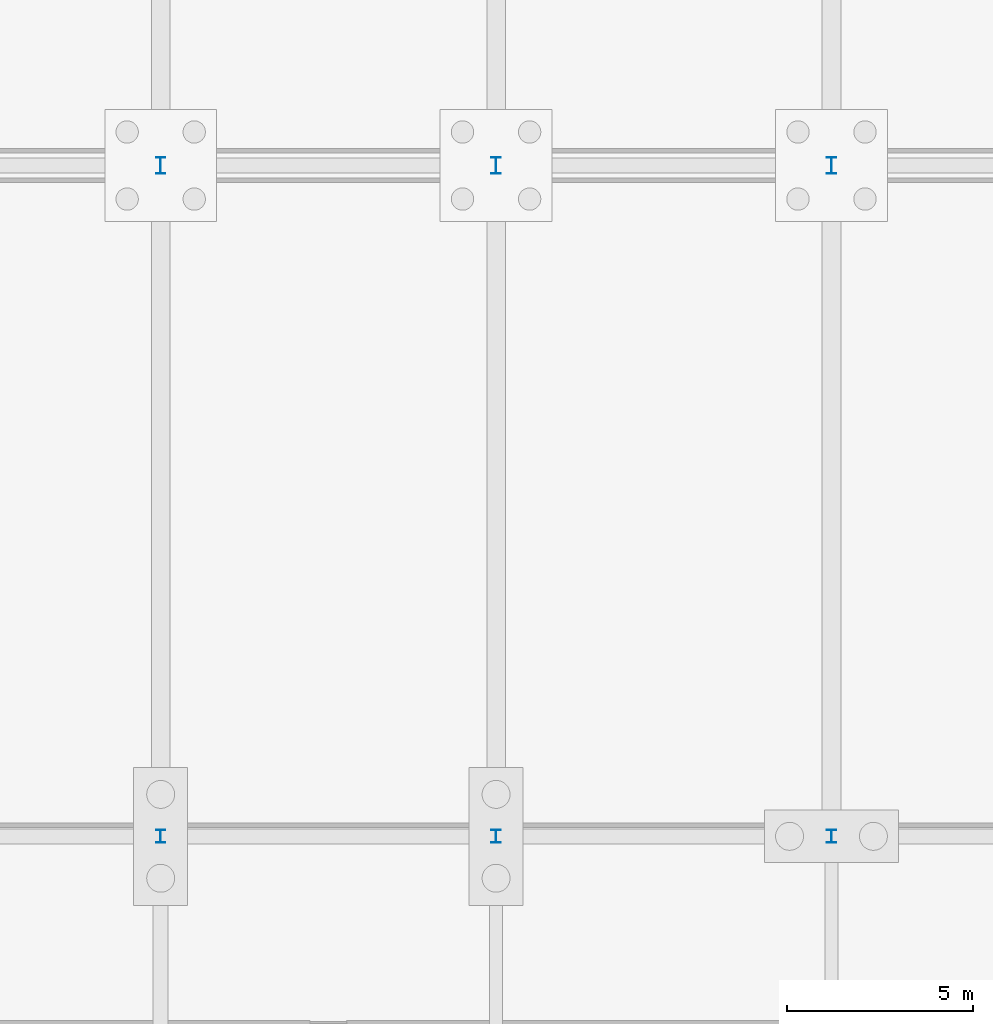
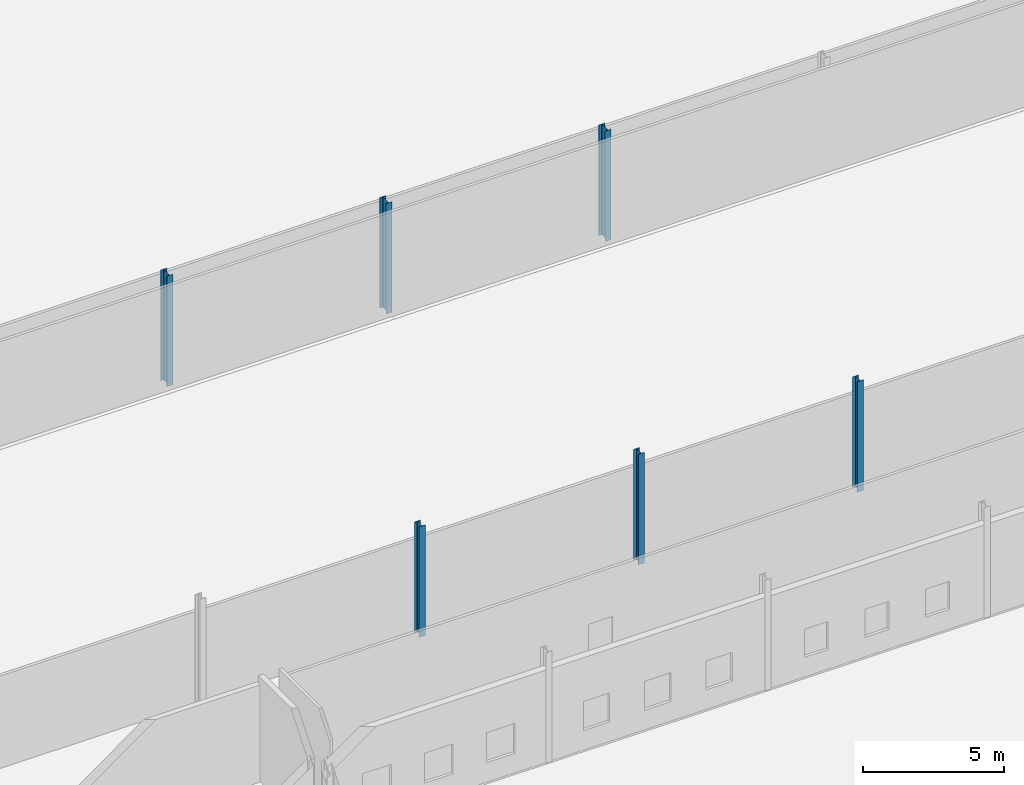
# One storey, part 29 of 112: 6 columns.
"""IFC4 building model written with IfcOpenShell, lengths in metres."""

from ifc_helpers import new_model, si_unit, direction, frame, origin, origin_2d, place, context, subcontext, project, spatial, i_section, extrude, material, material_profile, profile_set, type_object, element, save


model = new_model("IFC4")

# Units and contexts
model_context = context("Model", 3, precision=1e-05, world=origin(), true_north=direction((0.0, 1.0)))
body_context = subcontext(model_context, "Body", "Model", "MODEL_VIEW")
ifc_project = project(units=[si_unit("LENGTHUNIT", "METRE"), si_unit("AREAUNIT", "SQUARE_METRE"), si_unit("VOLUMEUNIT", "CUBIC_METRE"), si_unit("PLANEANGLEUNIT", "RADIAN"), si_unit("MASSUNIT", "GRAM", prefix="KILO")], contexts=[model_context])

# Site, building, storey
site_placement = place(None, origin())
site = spatial("IfcSite", under=ifc_project, at=site_placement, CompositionType="ELEMENT")
building_placement = place(site_placement, origin())
building = spatial("IfcBuilding", under=site, at=building_placement, Name="Tharagai Park Tramway Depot", CompositionType="ELEMENT")
storey_placement = place(building_placement, origin())
storey = spatial("IfcBuildingStorey", under=building, at=storey_placement, Name="L00", CompositionType="ELEMENT", Elevation=0.0)

# Columns
ifc_material = material(Name="Steel E350", Category="steel")
ifc_material_profile_1 = material_profile(ifc_material, i_section(OverallWidth=0.25, OverallDepth=0.449951171875, WebThickness=0.01123046875, FlangeThickness=0.013671875, FilletRadius=0.014892578125, at=origin_2d()), Name="ISHB 450")
ifc_profile_set_1 = profile_set([ifc_material_profile_1], Name="Steel E350")
column_type_1 = type_object("IfcColumnType", Name="CL-01", PredefinedType="COLUMN", material=ifc_profile_set_1)
for number, where, z_axis, x_axis, name in (
    (1, (99.0, 117.0, 0.0), (0.0, 0.0, 1.0), (1.0, 0.0, 0.0), "L00 Structural Column CL-01 (99,117)"),
    (2, (108.0, 117.0, 0.0), (0.0, 0.0, 1.0), (1.0, 0.0, 0.0), "L00 Structural Column CL-01 (108,117)"),
    (3, (117.0, 117.0, 0.0), (0.0, 0.0, 1.0), (1.0, 0.0, 0.0), "L00 Structural Column CL-01 (117,117)"),
):
    element("IfcColumn", number, at=place(storey_placement, frame(where, z_axis=z_axis, x_axis=x_axis)), inside=storey, type_object=column_type_1, Name=name, PredefinedType="COLUMN", context=body_context, shape_type="SweptSolid", body=[
        extrude(i_section(OverallWidth=0.25, OverallDepth=0.449951171875, WebThickness=0.01123046875, FlangeThickness=0.013671875, FilletRadius=0.014892578125, at=origin_2d()), origin(), (0.0, 0.0, 1.0), 4.800048828125),
    ])
ifc_material_profile_2 = material_profile(ifc_material, i_section(OverallWidth=0.25, OverallDepth=0.35009765625, WebThickness=0.010009765625, FlangeThickness=0.01171875, FilletRadius=0.011962890625, at=origin_2d()), Name="ISHB 350")
ifc_profile_set_2 = profile_set([ifc_material_profile_2], Name="Steel E350")
column_type_2 = type_object("IfcColumnType", Name="CL-09", PredefinedType="COLUMN", material=ifc_profile_set_2)
for number, where, z_axis, x_axis, name in (
    (4, (99.0, 99.0, 0.0), (0.0, 0.0, 1.0), (1.0, 0.0, 0.0), "L00 Structural Column CL-09 (99,99)"),
    (5, (108.0, 99.0, 0.0), (0.0, 0.0, 1.0), (1.0, 0.0, 0.0), "L00 Structural Column CL-09 (108,99)"),
    (6, (117.0, 99.0, 0.0), (0.0, 0.0, 1.0), (1.0, 0.0, 0.0), "L00 Structural Column CL-09 (117,99)"),
):
    element("IfcColumn", number, at=place(storey_placement, frame(where, z_axis=z_axis, x_axis=x_axis)), inside=storey, type_object=column_type_2, Name=name, PredefinedType="COLUMN", context=body_context, shape_type="SweptSolid", body=[
        extrude(i_section(OverallWidth=0.25, OverallDepth=0.35009765625, WebThickness=0.010009765625, FlangeThickness=0.01171875, FilletRadius=0.011962890625, at=origin_2d()), origin(), (0.0, 0.0, 1.0), 4.800048828125),
    ])

save(model, "model.ifc")
